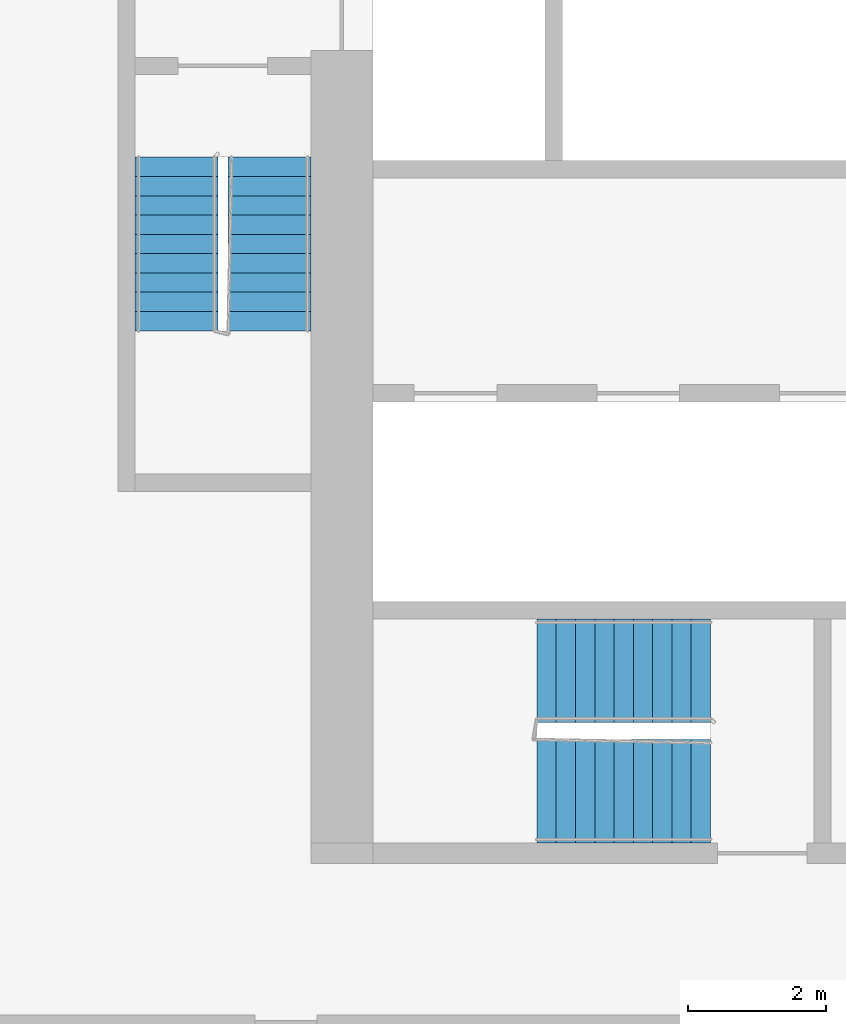
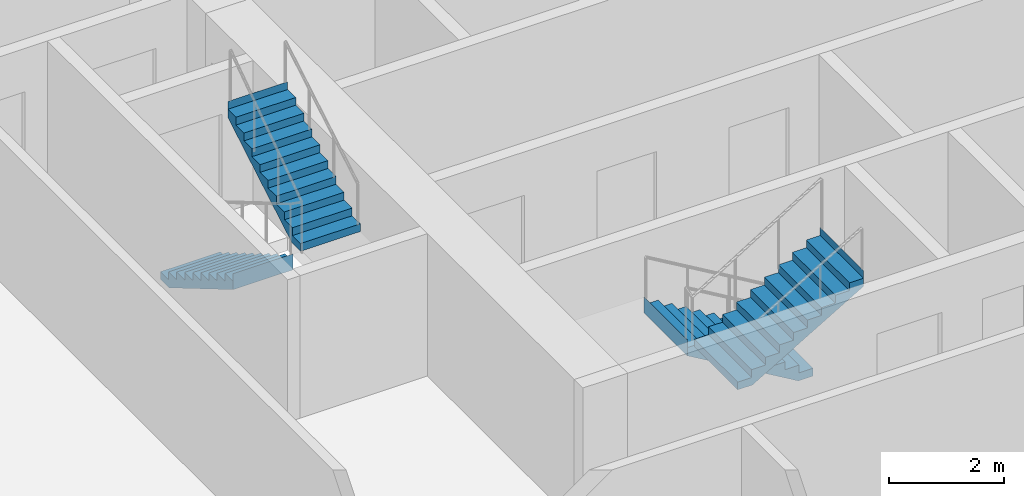
# One storey, part 9 of 12: 4 stair flights, 2 elements without a shape of their own.
"""IFC4 building model written with IfcOpenShell, lengths in metres."""

from ifc_helpers import new_model, si_unit, direction, frame, origin, place, context, subcontext, project, spatial, faceted_brep, material, type_object, element, aggregate, save


model = new_model("IFC4")

# Units and contexts
model_context = context("Model", 3, precision=1e-05, world=origin(), true_north=direction((0.0, 1.0)))
body_context = subcontext(model_context, "Body", "Model", "MODEL_VIEW")
ifc_project = project(units=[si_unit("LENGTHUNIT", "METRE"), si_unit("AREAUNIT", "SQUARE_METRE"), si_unit("VOLUMEUNIT", "CUBIC_METRE"), si_unit("PLANEANGLEUNIT", "RADIAN"), si_unit("MASSUNIT", "GRAM", prefix="KILO")], contexts=[model_context])

# Site, building, storey
site_placement = place(None, origin())
site = spatial("IfcSite", under=ifc_project, at=site_placement, CompositionType="ELEMENT")
building_placement = place(site_placement, origin())
building = spatial("IfcBuilding", under=site, at=building_placement, Name="Kajstack Hotel Tower", CompositionType="ELEMENT")
storey_placement = place(building_placement, frame((0.0, 0.0, 73.199951171875)))
storey = spatial("IfcBuildingStorey", under=building, at=storey_placement, Name="L13", CompositionType="ELEMENT", Elevation=73.199951171875)

# Stair, stair flights
ifc_material = material(Name="Concrete C40/50", Category="concrete")
stair_type_1 = type_object("IfcStairType", Name="Exit stair 1200", PredefinedType="HALF_TURN_STAIR", material=ifc_material)
stair_1_placement = place(storey_placement, origin())
stair_1 = element("IfcStair", 1, at=stair_1_placement, inside=storey, type_object=stair_type_1, Name="L13 stair W1", PredefinedType="HALF_TURN_STAIR")
stair_flight_type_1 = type_object("IfcStairFlightType", Name="Exit stair flight 1200", PredefinedType="STRAIGHT", material=ifc_material)
stair_flight_1_placement = place(storey_placement, frame((-33.449951171875, -5.25, 0.0), z_axis=(0.0, 0.0, 1.0), x_axis=(0.0, -1.0, 0.0)))
stair_flight_1 = element("IfcStairFlight", 2, at=stair_flight_1_placement, type_object=stair_flight_type_1, Name="W1 flight 1", NumberOfRisers=10, NumberOfTreads=9, PredefinedType="STRAIGHT", RiserHeight=0.165, TreadLength=0.28, context=body_context, shape_type="Brep", body=[
    faceted_brep([(0.295654296875, -0.60009765625, 0.0), (2.5205078125, -0.60009765625, 1.31103515625), (2.5205078125, -0.60009765625, 1.64990234375), (2.52001953125, -0.60009765625, 1.64990234375), (2.52001953125, -0.60009765625, 1.485107421875), (2.239990234375, -0.60009765625, 1.485107421875), (2.239990234375, -0.60009765625, 1.320068359375), (1.9599609375, -0.60009765625, 1.320068359375), (1.9599609375, -0.60009765625, 1.155029296875), (1.679931640625, -0.60009765625, 1.155029296875), (1.679931640625, -0.60009765625, 0.989990234375), (1.39990234375, -0.60009765625, 0.989990234375), (1.39990234375, -0.60009765625, 0.824951171875), (1.1201171875, -0.60009765625, 0.824951171875), (1.1201171875, -0.60009765625, 0.659912109375), (0.840087890625, -0.60009765625, 0.659912109375), (0.840087890625, -0.60009765625, 0.4951171875), (0.56005859375, -0.60009765625, 0.4951171875), (0.56005859375, -0.60009765625, 0.330078125), (0.280029296875, -0.60009765625, 0.330078125), (0.280029296875, -0.60009765625, 0.1650390625), (-0.00048828125, -0.60009765625, 0.1650390625), (-0.00048828125, -0.60009765625, 0.0), (-0.00048828125, 0.60009765625, 0.0), (-0.00048828125, 0.60009765625, 0.1650390625), (0.280029296875, 0.60009765625, 0.1650390625), (0.280029296875, 0.60009765625, 0.330078125), (0.56005859375, 0.60009765625, 0.330078125), (0.56005859375, 0.60009765625, 0.4951171875), (0.840087890625, 0.60009765625, 0.4951171875), (0.840087890625, 0.60009765625, 0.659912109375), (1.1201171875, 0.60009765625, 0.659912109375), (1.1201171875, 0.60009765625, 0.824951171875), (1.39990234375, 0.60009765625, 0.824951171875), (1.39990234375, 0.60009765625, 0.989990234375), (1.679931640625, 0.60009765625, 0.989990234375), (1.679931640625, 0.60009765625, 1.155029296875), (1.9599609375, 0.60009765625, 1.155029296875), (1.9599609375, 0.60009765625, 1.320068359375), (2.239990234375, 0.60009765625, 1.320068359375), (2.239990234375, 0.60009765625, 1.485107421875), (2.52001953125, 0.60009765625, 1.485107421875), (2.52001953125, 0.60009765625, 1.64990234375), (2.5205078125, 0.60009765625, 1.64990234375), (2.5205078125, 0.60009765625, 1.31103515625), (0.295654296875, 0.60009765625, 0.0), (-0.00048828125, -0.300048828125, 0.1650390625), (-0.00048828125, 0.0, 0.1650390625), (-0.00048828125, 0.300048828125, 0.1650390625), (-0.00048828125, 0.300048828125, 0.0), (-0.00048828125, 0.0, 0.0), (-0.00048828125, -0.300048828125, 0.0), (0.280029296875, -0.300048828125, 0.1650390625), (0.280029296875, 0.0, 0.1650390625), (0.280029296875, 0.300048828125, 0.1650390625), (0.280029296875, -0.300048828125, 0.330078125), (0.280029296875, 0.0, 0.330078125), (0.280029296875, 0.300048828125, 0.330078125), (0.56005859375, -0.300048828125, 0.330078125), (0.56005859375, 0.0, 0.330078125), (0.56005859375, 0.300048828125, 0.330078125), (0.56005859375, -0.300048828125, 0.4951171875), (0.56005859375, 0.0, 0.4951171875), (0.56005859375, 0.300048828125, 0.4951171875), (0.840087890625, -0.300048828125, 0.4951171875), (0.840087890625, 0.0, 0.4951171875), (0.840087890625, 0.300048828125, 0.4951171875), (0.840087890625, -0.300048828125, 0.659912109375), (0.840087890625, 0.0, 0.659912109375), (0.840087890625, 0.300048828125, 0.659912109375), (1.1201171875, -0.300048828125, 0.659912109375), (1.1201171875, 0.0, 0.659912109375), (1.1201171875, 0.300048828125, 0.659912109375), (1.1201171875, -0.300048828125, 0.824951171875), (1.1201171875, 0.0, 0.824951171875), (1.1201171875, 0.300048828125, 0.824951171875), (1.39990234375, -0.300048828125, 0.824951171875), (1.39990234375, 0.0, 0.824951171875), (1.39990234375, 0.300048828125, 0.824951171875), (1.39990234375, -0.300048828125, 0.989990234375), (1.39990234375, 0.0, 0.989990234375), (1.39990234375, 0.300048828125, 0.989990234375), (1.679931640625, -0.300048828125, 0.989990234375), (1.679931640625, 0.0, 0.989990234375), (1.679931640625, 0.300048828125, 0.989990234375), (1.679931640625, -0.300048828125, 1.155029296875), (1.679931640625, 0.0, 1.155029296875), (1.679931640625, 0.300048828125, 1.155029296875), (1.9599609375, -0.300048828125, 1.155029296875), (1.9599609375, 0.0, 1.155029296875), (1.9599609375, 0.300048828125, 1.155029296875), (1.9599609375, -0.300048828125, 1.320068359375), (1.9599609375, 0.0, 1.320068359375), (1.9599609375, 0.300048828125, 1.320068359375), (2.239990234375, -0.300048828125, 1.320068359375), (2.239990234375, 0.0, 1.320068359375), (2.239990234375, 0.300048828125, 1.320068359375), (2.239990234375, -0.300048828125, 1.485107421875), (2.239990234375, 0.0, 1.485107421875), (2.239990234375, 0.300048828125, 1.485107421875), (2.52001953125, -0.300048828125, 1.485107421875), (2.52001953125, 0.0, 1.485107421875), (2.52001953125, 0.300048828125, 1.485107421875), (2.52001953125, -0.300048828125, 1.64990234375), (2.52001953125, 0.0, 1.64990234375), (2.52001953125, 0.300048828125, 1.64990234375), (2.5205078125, -0.300048828125, 1.64990234375), (2.5205078125, 0.0, 1.64990234375), (2.5205078125, 0.300048828125, 1.64990234375), (2.5205078125, -0.300048828125, 1.31103515625), (2.5205078125, 0.0, 1.31103515625), (2.5205078125, 0.300048828125, 1.31103515625), (0.295654296875, -0.300048828125, 0.0), (0.295654296875, 0.0, 0.0), (0.295654296875, 0.300048828125, 0.0)], [[[0, 1, 2, 3, 4, 5, 6, 7, 8, 9, 10, 11, 12, 13, 14, 15, 16, 17, 18, 19, 20, 21, 22]], [[23, 24, 25, 26, 27, 28, 29, 30, 31, 32, 33, 34, 35, 36, 37, 38, 39, 40, 41, 42, 43, 44, 45]], [[21, 46, 47, 48, 24, 23, 49, 50, 51, 22]], [[20, 52, 53, 54, 25, 24, 48, 47, 46, 21]], [[19, 55, 56, 57, 26, 25, 54, 53, 52, 20]], [[18, 58, 59, 60, 27, 26, 57, 56, 55, 19]], [[17, 61, 62, 63, 28, 27, 60, 59, 58, 18]], [[16, 64, 65, 66, 29, 28, 63, 62, 61, 17]], [[15, 67, 68, 69, 30, 29, 66, 65, 64, 16]], [[14, 70, 71, 72, 31, 30, 69, 68, 67, 15]], [[13, 73, 74, 75, 32, 31, 72, 71, 70, 14]], [[12, 76, 77, 78, 33, 32, 75, 74, 73, 13]], [[11, 79, 80, 81, 34, 33, 78, 77, 76, 12]], [[10, 82, 83, 84, 35, 34, 81, 80, 79, 11]], [[9, 85, 86, 87, 36, 35, 84, 83, 82, 10]], [[8, 88, 89, 90, 37, 36, 87, 86, 85, 9]], [[7, 91, 92, 93, 38, 37, 90, 89, 88, 8]], [[6, 94, 95, 96, 39, 38, 93, 92, 91, 7]], [[5, 97, 98, 99, 40, 39, 96, 95, 94, 6]], [[4, 100, 101, 102, 41, 40, 99, 98, 97, 5]], [[3, 103, 104, 105, 42, 41, 102, 101, 100, 4]], [[2, 106, 107, 108, 43, 42, 105, 104, 103, 3]], [[1, 109, 110, 111, 44, 43, 108, 107, 106, 2]], [[0, 112, 113, 114, 45, 44, 111, 110, 109, 1]], [[22, 51, 50, 49, 23, 45, 114, 113, 112, 0]]]),
])
stair_flight_2_placement = place(storey_placement, frame((-32.10009765625, -7.77001953125, 1.650146484375), z_axis=(0.0, 0.0, 1.0), x_axis=(0.0, 1.0, 0.0)))
stair_flight_2 = element("IfcStairFlight", 3, at=stair_flight_2_placement, type_object=stair_flight_type_1, Name="W1 flight 2", NumberOfRisers=10, NumberOfTreads=9, PredefinedType="STRAIGHT", RiserHeight=0.165, TreadLength=0.28, context=body_context, shape_type="Brep", body=[
    faceted_brep([(0.295654296875, -0.60009765625, 0.0), (2.5205078125, -0.60009765625, 1.31103515625), (2.5205078125, -0.60009765625, 1.64990234375), (2.52001953125, -0.60009765625, 1.64990234375), (2.52001953125, -0.60009765625, 1.485107421875), (2.239990234375, -0.60009765625, 1.485107421875), (2.239990234375, -0.60009765625, 1.320068359375), (1.9599609375, -0.60009765625, 1.320068359375), (1.9599609375, -0.60009765625, 1.155029296875), (1.679931640625, -0.60009765625, 1.155029296875), (1.679931640625, -0.60009765625, 0.989990234375), (1.39990234375, -0.60009765625, 0.989990234375), (1.39990234375, -0.60009765625, 0.824951171875), (1.1201171875, -0.60009765625, 0.824951171875), (1.1201171875, -0.60009765625, 0.659912109375), (0.840087890625, -0.60009765625, 0.659912109375), (0.840087890625, -0.60009765625, 0.4951171875), (0.56005859375, -0.60009765625, 0.4951171875), (0.56005859375, -0.60009765625, 0.330078125), (0.280029296875, -0.60009765625, 0.330078125), (0.280029296875, -0.60009765625, 0.1650390625), (-0.00048828125, -0.60009765625, 0.1650390625), (-0.00048828125, -0.60009765625, 0.0), (-0.00048828125, 0.60009765625, 0.0), (-0.00048828125, 0.60009765625, 0.1650390625), (0.280029296875, 0.60009765625, 0.1650390625), (0.280029296875, 0.60009765625, 0.330078125), (0.56005859375, 0.60009765625, 0.330078125), (0.56005859375, 0.60009765625, 0.4951171875), (0.840087890625, 0.60009765625, 0.4951171875), (0.840087890625, 0.60009765625, 0.659912109375), (1.1201171875, 0.60009765625, 0.659912109375), (1.1201171875, 0.60009765625, 0.824951171875), (1.39990234375, 0.60009765625, 0.824951171875), (1.39990234375, 0.60009765625, 0.989990234375), (1.679931640625, 0.60009765625, 0.989990234375), (1.679931640625, 0.60009765625, 1.155029296875), (1.9599609375, 0.60009765625, 1.155029296875), (1.9599609375, 0.60009765625, 1.320068359375), (2.239990234375, 0.60009765625, 1.320068359375), (2.239990234375, 0.60009765625, 1.485107421875), (2.52001953125, 0.60009765625, 1.485107421875), (2.52001953125, 0.60009765625, 1.64990234375), (2.5205078125, 0.60009765625, 1.64990234375), (2.5205078125, 0.60009765625, 1.31103515625), (0.295654296875, 0.60009765625, 0.0), (-0.00048828125, -0.300048828125, 0.1650390625), (-0.00048828125, 0.0, 0.1650390625), (-0.00048828125, 0.300048828125, 0.1650390625), (-0.00048828125, 0.300048828125, 0.0), (-0.00048828125, 0.0, 0.0), (-0.00048828125, -0.300048828125, 0.0), (0.280029296875, -0.300048828125, 0.1650390625), (0.280029296875, 0.0, 0.1650390625), (0.280029296875, 0.300048828125, 0.1650390625), (0.280029296875, -0.300048828125, 0.330078125), (0.280029296875, 0.0, 0.330078125), (0.280029296875, 0.300048828125, 0.330078125), (0.56005859375, -0.300048828125, 0.330078125), (0.56005859375, 0.0, 0.330078125), (0.56005859375, 0.300048828125, 0.330078125), (0.56005859375, -0.300048828125, 0.4951171875), (0.56005859375, 0.0, 0.4951171875), (0.56005859375, 0.300048828125, 0.4951171875), (0.840087890625, -0.300048828125, 0.4951171875), (0.840087890625, 0.0, 0.4951171875), (0.840087890625, 0.300048828125, 0.4951171875), (0.840087890625, -0.300048828125, 0.659912109375), (0.840087890625, 0.0, 0.659912109375), (0.840087890625, 0.300048828125, 0.659912109375), (1.1201171875, -0.300048828125, 0.659912109375), (1.1201171875, 0.0, 0.659912109375), (1.1201171875, 0.300048828125, 0.659912109375), (1.1201171875, -0.300048828125, 0.824951171875), (1.1201171875, 0.0, 0.824951171875), (1.1201171875, 0.300048828125, 0.824951171875), (1.39990234375, -0.300048828125, 0.824951171875), (1.39990234375, 0.0, 0.824951171875), (1.39990234375, 0.300048828125, 0.824951171875), (1.39990234375, -0.300048828125, 0.989990234375), (1.39990234375, 0.0, 0.989990234375), (1.39990234375, 0.300048828125, 0.989990234375), (1.679931640625, -0.300048828125, 0.989990234375), (1.679931640625, 0.0, 0.989990234375), (1.679931640625, 0.300048828125, 0.989990234375), (1.679931640625, -0.300048828125, 1.155029296875), (1.679931640625, 0.0, 1.155029296875), (1.679931640625, 0.300048828125, 1.155029296875), (1.9599609375, -0.300048828125, 1.155029296875), (1.9599609375, 0.0, 1.155029296875), (1.9599609375, 0.300048828125, 1.155029296875), (1.9599609375, -0.300048828125, 1.320068359375), (1.9599609375, 0.0, 1.320068359375), (1.9599609375, 0.300048828125, 1.320068359375), (2.239990234375, -0.300048828125, 1.320068359375), (2.239990234375, 0.0, 1.320068359375), (2.239990234375, 0.300048828125, 1.320068359375), (2.239990234375, -0.300048828125, 1.485107421875), (2.239990234375, 0.0, 1.485107421875), (2.239990234375, 0.300048828125, 1.485107421875), (2.52001953125, -0.300048828125, 1.485107421875), (2.52001953125, 0.0, 1.485107421875), (2.52001953125, 0.300048828125, 1.485107421875), (2.52001953125, -0.300048828125, 1.64990234375), (2.52001953125, 0.0, 1.64990234375), (2.52001953125, 0.300048828125, 1.64990234375), (2.5205078125, -0.300048828125, 1.64990234375), (2.5205078125, 0.0, 1.64990234375), (2.5205078125, 0.300048828125, 1.64990234375), (2.5205078125, -0.300048828125, 1.31103515625), (2.5205078125, 0.0, 1.31103515625), (2.5205078125, 0.300048828125, 1.31103515625), (0.295654296875, -0.300048828125, 0.0), (0.295654296875, 0.0, 0.0), (0.295654296875, 0.300048828125, 0.0)], [[[0, 1, 2, 3, 4, 5, 6, 7, 8, 9, 10, 11, 12, 13, 14, 15, 16, 17, 18, 19, 20, 21, 22]], [[23, 24, 25, 26, 27, 28, 29, 30, 31, 32, 33, 34, 35, 36, 37, 38, 39, 40, 41, 42, 43, 44, 45]], [[21, 46, 47, 48, 24, 23, 49, 50, 51, 22]], [[20, 52, 53, 54, 25, 24, 48, 47, 46, 21]], [[19, 55, 56, 57, 26, 25, 54, 53, 52, 20]], [[18, 58, 59, 60, 27, 26, 57, 56, 55, 19]], [[17, 61, 62, 63, 28, 27, 60, 59, 58, 18]], [[16, 64, 65, 66, 29, 28, 63, 62, 61, 17]], [[15, 67, 68, 69, 30, 29, 66, 65, 64, 16]], [[14, 70, 71, 72, 31, 30, 69, 68, 67, 15]], [[13, 73, 74, 75, 32, 31, 72, 71, 70, 14]], [[12, 76, 77, 78, 33, 32, 75, 74, 73, 13]], [[11, 79, 80, 81, 34, 33, 78, 77, 76, 12]], [[10, 82, 83, 84, 35, 34, 81, 80, 79, 11]], [[9, 85, 86, 87, 36, 35, 84, 83, 82, 10]], [[8, 88, 89, 90, 37, 36, 87, 86, 85, 9]], [[7, 91, 92, 93, 38, 37, 90, 89, 88, 8]], [[6, 94, 95, 96, 39, 38, 93, 92, 91, 7]], [[5, 97, 98, 99, 40, 39, 96, 95, 94, 6]], [[4, 100, 101, 102, 41, 40, 99, 98, 97, 5]], [[3, 103, 104, 105, 42, 41, 102, 101, 100, 4]], [[2, 106, 107, 108, 43, 42, 105, 104, 103, 3]], [[1, 109, 110, 111, 44, 43, 108, 107, 106, 2]], [[0, 112, 113, 114, 45, 44, 111, 110, 109, 1]], [[22, 51, 50, 49, 23, 45, 114, 113, 112, 0]]]),
])
aggregate(stair_1, [stair_flight_1, stair_flight_2])

stair_type_2 = type_object("IfcStairType", Name="Exit stair 1500", PredefinedType="HALF_TURN_STAIR", material=ifc_material)
stair_2_placement = place(storey_placement, origin())
stair_2 = element("IfcStair", 4, at=stair_2_placement, inside=storey, type_object=stair_type_2, Name="L13 stair W3", PredefinedType="HALF_TURN_STAIR")
stair_flight_type_2 = type_object("IfcStairFlightType", Name="Exit stair flight 1500", PredefinedType="STRAIGHT", material=ifc_material)
stair_flight_3_placement = place(storey_placement, frame((-25.699951171875, -12.699951171875, 0.0), z_axis=(0.0, 0.0, 1.0), x_axis=(-1.0, 0.0, 0.0)))
stair_flight_3 = element("IfcStairFlight", 5, at=stair_flight_3_placement, type_object=stair_flight_type_2, Name="W3 flight 1", NumberOfRisers=10, NumberOfTreads=9, PredefinedType="STRAIGHT", RiserHeight=0.165, TreadLength=0.28, context=body_context, shape_type="Brep", body=[
    faceted_brep([(0.295654296875, -0.75, 0.0), (2.5205078125, -0.75, 1.31103515625), (2.5205078125, -0.75, 1.64990234375), (2.52001953125, -0.75, 1.64990234375), (2.52001953125, -0.75, 1.485107421875), (2.239990234375, -0.75, 1.485107421875), (2.239990234375, -0.75, 1.320068359375), (1.9599609375, -0.75, 1.320068359375), (1.9599609375, -0.75, 1.155029296875), (1.679931640625, -0.75, 1.155029296875), (1.679931640625, -0.75, 0.989990234375), (1.39990234375, -0.75, 0.989990234375), (1.39990234375, -0.75, 0.824951171875), (1.1201171875, -0.75, 0.824951171875), (1.1201171875, -0.75, 0.659912109375), (0.840087890625, -0.75, 0.659912109375), (0.840087890625, -0.75, 0.4951171875), (0.56005859375, -0.75, 0.4951171875), (0.56005859375, -0.75, 0.330078125), (0.280029296875, -0.75, 0.330078125), (0.280029296875, -0.75, 0.1650390625), (-0.00048828125, -0.75, 0.1650390625), (-0.00048828125, -0.75, 0.0), (-0.00048828125, 0.75, 0.0), (-0.00048828125, 0.75, 0.1650390625), (0.280029296875, 0.75, 0.1650390625), (0.280029296875, 0.75, 0.330078125), (0.56005859375, 0.75, 0.330078125), (0.56005859375, 0.75, 0.4951171875), (0.840087890625, 0.75, 0.4951171875), (0.840087890625, 0.75, 0.659912109375), (1.1201171875, 0.75, 0.659912109375), (1.1201171875, 0.75, 0.824951171875), (1.39990234375, 0.75, 0.824951171875), (1.39990234375, 0.75, 0.989990234375), (1.679931640625, 0.75, 0.989990234375), (1.679931640625, 0.75, 1.155029296875), (1.9599609375, 0.75, 1.155029296875), (1.9599609375, 0.75, 1.320068359375), (2.239990234375, 0.75, 1.320068359375), (2.239990234375, 0.75, 1.485107421875), (2.52001953125, 0.75, 1.485107421875), (2.52001953125, 0.75, 1.64990234375), (2.5205078125, 0.75, 1.64990234375), (2.5205078125, 0.75, 1.31103515625), (0.295654296875, 0.75, 0.0), (-0.00048828125, -0.375, 0.1650390625), (-0.00048828125, 0.0, 0.1650390625), (-0.00048828125, 0.375, 0.1650390625), (-0.00048828125, 0.375, 0.0), (-0.00048828125, 0.0, 0.0), (-0.00048828125, -0.375, 0.0), (0.280029296875, -0.375, 0.1650390625), (0.280029296875, 0.0, 0.1650390625), (0.280029296875, 0.375, 0.1650390625), (0.280029296875, -0.375, 0.330078125), (0.280029296875, 0.0, 0.330078125), (0.280029296875, 0.375, 0.330078125), (0.56005859375, -0.375, 0.330078125), (0.56005859375, 0.0, 0.330078125), (0.56005859375, 0.375, 0.330078125), (0.56005859375, -0.375, 0.4951171875), (0.56005859375, 0.0, 0.4951171875), (0.56005859375, 0.375, 0.4951171875), (0.840087890625, -0.375, 0.4951171875), (0.840087890625, 0.0, 0.4951171875), (0.840087890625, 0.375, 0.4951171875), (0.840087890625, -0.375, 0.659912109375), (0.840087890625, 0.0, 0.659912109375), (0.840087890625, 0.375, 0.659912109375), (1.1201171875, -0.375, 0.659912109375), (1.1201171875, 0.0, 0.659912109375), (1.1201171875, 0.375, 0.659912109375), (1.1201171875, -0.375, 0.824951171875), (1.1201171875, 0.0, 0.824951171875), (1.1201171875, 0.375, 0.824951171875), (1.39990234375, -0.375, 0.824951171875), (1.39990234375, 0.0, 0.824951171875), (1.39990234375, 0.375, 0.824951171875), (1.39990234375, -0.375, 0.989990234375), (1.39990234375, 0.0, 0.989990234375), (1.39990234375, 0.375, 0.989990234375), (1.679931640625, -0.375, 0.989990234375), (1.679931640625, 0.0, 0.989990234375), (1.679931640625, 0.375, 0.989990234375), (1.679931640625, -0.375, 1.155029296875), (1.679931640625, 0.0, 1.155029296875), (1.679931640625, 0.375, 1.155029296875), (1.9599609375, -0.375, 1.155029296875), (1.9599609375, 0.0, 1.155029296875), (1.9599609375, 0.375, 1.155029296875), (1.9599609375, -0.375, 1.320068359375), (1.9599609375, 0.0, 1.320068359375), (1.9599609375, 0.375, 1.320068359375), (2.239990234375, -0.375, 1.320068359375), (2.239990234375, 0.0, 1.320068359375), (2.239990234375, 0.375, 1.320068359375), (2.239990234375, -0.375, 1.485107421875), (2.239990234375, 0.0, 1.485107421875), (2.239990234375, 0.375, 1.485107421875), (2.52001953125, -0.375, 1.485107421875), (2.52001953125, 0.0, 1.485107421875), (2.52001953125, 0.375, 1.485107421875), (2.52001953125, -0.375, 1.64990234375), (2.52001953125, 0.0, 1.64990234375), (2.52001953125, 0.375, 1.64990234375), (2.5205078125, -0.375, 1.64990234375), (2.5205078125, 0.0, 1.64990234375), (2.5205078125, 0.375, 1.64990234375), (2.5205078125, -0.375, 1.31103515625), (2.5205078125, 0.0, 1.31103515625), (2.5205078125, 0.375, 1.31103515625), (0.295654296875, -0.375, 0.0), (0.295654296875, 0.0, 0.0), (0.295654296875, 0.375, 0.0)], [[[0, 1, 2, 3, 4, 5, 6, 7, 8, 9, 10, 11, 12, 13, 14, 15, 16, 17, 18, 19, 20, 21, 22]], [[23, 24, 25, 26, 27, 28, 29, 30, 31, 32, 33, 34, 35, 36, 37, 38, 39, 40, 41, 42, 43, 44, 45]], [[21, 46, 47, 48, 24, 23, 49, 50, 51, 22]], [[20, 52, 53, 54, 25, 24, 48, 47, 46, 21]], [[19, 55, 56, 57, 26, 25, 54, 53, 52, 20]], [[18, 58, 59, 60, 27, 26, 57, 56, 55, 19]], [[17, 61, 62, 63, 28, 27, 60, 59, 58, 18]], [[16, 64, 65, 66, 29, 28, 63, 62, 61, 17]], [[15, 67, 68, 69, 30, 29, 66, 65, 64, 16]], [[14, 70, 71, 72, 31, 30, 69, 68, 67, 15]], [[13, 73, 74, 75, 32, 31, 72, 71, 70, 14]], [[12, 76, 77, 78, 33, 32, 75, 74, 73, 13]], [[11, 79, 80, 81, 34, 33, 78, 77, 76, 12]], [[10, 82, 83, 84, 35, 34, 81, 80, 79, 11]], [[9, 85, 86, 87, 36, 35, 84, 83, 82, 10]], [[8, 88, 89, 90, 37, 36, 87, 86, 85, 9]], [[7, 91, 92, 93, 38, 37, 90, 89, 88, 8]], [[6, 94, 95, 96, 39, 38, 93, 92, 91, 7]], [[5, 97, 98, 99, 40, 39, 96, 95, 94, 6]], [[4, 100, 101, 102, 41, 40, 99, 98, 97, 5]], [[3, 103, 104, 105, 42, 41, 102, 101, 100, 4]], [[2, 106, 107, 108, 43, 42, 105, 104, 103, 3]], [[1, 109, 110, 111, 44, 43, 108, 107, 106, 2]], [[0, 112, 113, 114, 45, 44, 111, 110, 109, 1]], [[22, 51, 50, 49, 23, 45, 114, 113, 112, 0]]]),
])
stair_flight_4_placement = place(storey_placement, frame((-28.219970703125, -14.449951171875, 1.650146484375), z_axis=(0.0, 0.0, 1.0), x_axis=(1.0, 0.0, 0.0)))
stair_flight_4 = element("IfcStairFlight", 6, at=stair_flight_4_placement, type_object=stair_flight_type_2, Name="W3 flight 2", NumberOfRisers=10, NumberOfTreads=9, PredefinedType="STRAIGHT", RiserHeight=0.165, TreadLength=0.28, context=body_context, shape_type="Brep", body=[
    faceted_brep([(0.295654296875, -0.75, 0.0), (2.5205078125, -0.75, 1.31103515625), (2.5205078125, -0.75, 1.64990234375), (2.52001953125, -0.75, 1.64990234375), (2.52001953125, -0.75, 1.485107421875), (2.239990234375, -0.75, 1.485107421875), (2.239990234375, -0.75, 1.320068359375), (1.9599609375, -0.75, 1.320068359375), (1.9599609375, -0.75, 1.155029296875), (1.679931640625, -0.75, 1.155029296875), (1.679931640625, -0.75, 0.989990234375), (1.39990234375, -0.75, 0.989990234375), (1.39990234375, -0.75, 0.824951171875), (1.1201171875, -0.75, 0.824951171875), (1.1201171875, -0.75, 0.659912109375), (0.840087890625, -0.75, 0.659912109375), (0.840087890625, -0.75, 0.4951171875), (0.56005859375, -0.75, 0.4951171875), (0.56005859375, -0.75, 0.330078125), (0.280029296875, -0.75, 0.330078125), (0.280029296875, -0.75, 0.1650390625), (-0.00048828125, -0.75, 0.1650390625), (-0.00048828125, -0.75, 0.0), (-0.00048828125, 0.75, 0.0), (-0.00048828125, 0.75, 0.1650390625), (0.280029296875, 0.75, 0.1650390625), (0.280029296875, 0.75, 0.330078125), (0.56005859375, 0.75, 0.330078125), (0.56005859375, 0.75, 0.4951171875), (0.840087890625, 0.75, 0.4951171875), (0.840087890625, 0.75, 0.659912109375), (1.1201171875, 0.75, 0.659912109375), (1.1201171875, 0.75, 0.824951171875), (1.39990234375, 0.75, 0.824951171875), (1.39990234375, 0.75, 0.989990234375), (1.679931640625, 0.75, 0.989990234375), (1.679931640625, 0.75, 1.155029296875), (1.9599609375, 0.75, 1.155029296875), (1.9599609375, 0.75, 1.320068359375), (2.239990234375, 0.75, 1.320068359375), (2.239990234375, 0.75, 1.485107421875), (2.52001953125, 0.75, 1.485107421875), (2.52001953125, 0.75, 1.64990234375), (2.5205078125, 0.75, 1.64990234375), (2.5205078125, 0.75, 1.31103515625), (0.295654296875, 0.75, 0.0), (-0.00048828125, -0.375, 0.1650390625), (-0.00048828125, 0.0, 0.1650390625), (-0.00048828125, 0.375, 0.1650390625), (-0.00048828125, 0.375, 0.0), (-0.00048828125, 0.0, 0.0), (-0.00048828125, -0.375, 0.0), (0.280029296875, -0.375, 0.1650390625), (0.280029296875, 0.0, 0.1650390625), (0.280029296875, 0.375, 0.1650390625), (0.280029296875, -0.375, 0.330078125), (0.280029296875, 0.0, 0.330078125), (0.280029296875, 0.375, 0.330078125), (0.56005859375, -0.375, 0.330078125), (0.56005859375, 0.0, 0.330078125), (0.56005859375, 0.375, 0.330078125), (0.56005859375, -0.375, 0.4951171875), (0.56005859375, 0.0, 0.4951171875), (0.56005859375, 0.375, 0.4951171875), (0.840087890625, -0.375, 0.4951171875), (0.840087890625, 0.0, 0.4951171875), (0.840087890625, 0.375, 0.4951171875), (0.840087890625, -0.375, 0.659912109375), (0.840087890625, 0.0, 0.659912109375), (0.840087890625, 0.375, 0.659912109375), (1.1201171875, -0.375, 0.659912109375), (1.1201171875, 0.0, 0.659912109375), (1.1201171875, 0.375, 0.659912109375), (1.1201171875, -0.375, 0.824951171875), (1.1201171875, 0.0, 0.824951171875), (1.1201171875, 0.375, 0.824951171875), (1.39990234375, -0.375, 0.824951171875), (1.39990234375, 0.0, 0.824951171875), (1.39990234375, 0.375, 0.824951171875), (1.39990234375, -0.375, 0.989990234375), (1.39990234375, 0.0, 0.989990234375), (1.39990234375, 0.375, 0.989990234375), (1.679931640625, -0.375, 0.989990234375), (1.679931640625, 0.0, 0.989990234375), (1.679931640625, 0.375, 0.989990234375), (1.679931640625, -0.375, 1.155029296875), (1.679931640625, 0.0, 1.155029296875), (1.679931640625, 0.375, 1.155029296875), (1.9599609375, -0.375, 1.155029296875), (1.9599609375, 0.0, 1.155029296875), (1.9599609375, 0.375, 1.155029296875), (1.9599609375, -0.375, 1.320068359375), (1.9599609375, 0.0, 1.320068359375), (1.9599609375, 0.375, 1.320068359375), (2.239990234375, -0.375, 1.320068359375), (2.239990234375, 0.0, 1.320068359375), (2.239990234375, 0.375, 1.320068359375), (2.239990234375, -0.375, 1.485107421875), (2.239990234375, 0.0, 1.485107421875), (2.239990234375, 0.375, 1.485107421875), (2.52001953125, -0.375, 1.485107421875), (2.52001953125, 0.0, 1.485107421875), (2.52001953125, 0.375, 1.485107421875), (2.52001953125, -0.375, 1.64990234375), (2.52001953125, 0.0, 1.64990234375), (2.52001953125, 0.375, 1.64990234375), (2.5205078125, -0.375, 1.64990234375), (2.5205078125, 0.0, 1.64990234375), (2.5205078125, 0.375, 1.64990234375), (2.5205078125, -0.375, 1.31103515625), (2.5205078125, 0.0, 1.31103515625), (2.5205078125, 0.375, 1.31103515625), (0.295654296875, -0.375, 0.0), (0.295654296875, 0.0, 0.0), (0.295654296875, 0.375, 0.0)], [[[0, 1, 2, 3, 4, 5, 6, 7, 8, 9, 10, 11, 12, 13, 14, 15, 16, 17, 18, 19, 20, 21, 22]], [[23, 24, 25, 26, 27, 28, 29, 30, 31, 32, 33, 34, 35, 36, 37, 38, 39, 40, 41, 42, 43, 44, 45]], [[21, 46, 47, 48, 24, 23, 49, 50, 51, 22]], [[20, 52, 53, 54, 25, 24, 48, 47, 46, 21]], [[19, 55, 56, 57, 26, 25, 54, 53, 52, 20]], [[18, 58, 59, 60, 27, 26, 57, 56, 55, 19]], [[17, 61, 62, 63, 28, 27, 60, 59, 58, 18]], [[16, 64, 65, 66, 29, 28, 63, 62, 61, 17]], [[15, 67, 68, 69, 30, 29, 66, 65, 64, 16]], [[14, 70, 71, 72, 31, 30, 69, 68, 67, 15]], [[13, 73, 74, 75, 32, 31, 72, 71, 70, 14]], [[12, 76, 77, 78, 33, 32, 75, 74, 73, 13]], [[11, 79, 80, 81, 34, 33, 78, 77, 76, 12]], [[10, 82, 83, 84, 35, 34, 81, 80, 79, 11]], [[9, 85, 86, 87, 36, 35, 84, 83, 82, 10]], [[8, 88, 89, 90, 37, 36, 87, 86, 85, 9]], [[7, 91, 92, 93, 38, 37, 90, 89, 88, 8]], [[6, 94, 95, 96, 39, 38, 93, 92, 91, 7]], [[5, 97, 98, 99, 40, 39, 96, 95, 94, 6]], [[4, 100, 101, 102, 41, 40, 99, 98, 97, 5]], [[3, 103, 104, 105, 42, 41, 102, 101, 100, 4]], [[2, 106, 107, 108, 43, 42, 105, 104, 103, 3]], [[1, 109, 110, 111, 44, 43, 108, 107, 106, 2]], [[0, 112, 113, 114, 45, 44, 111, 110, 109, 1]], [[22, 51, 50, 49, 23, 45, 114, 113, 112, 0]]]),
])
aggregate(stair_2, [stair_flight_3, stair_flight_4])

save(model, "model.ifc")
